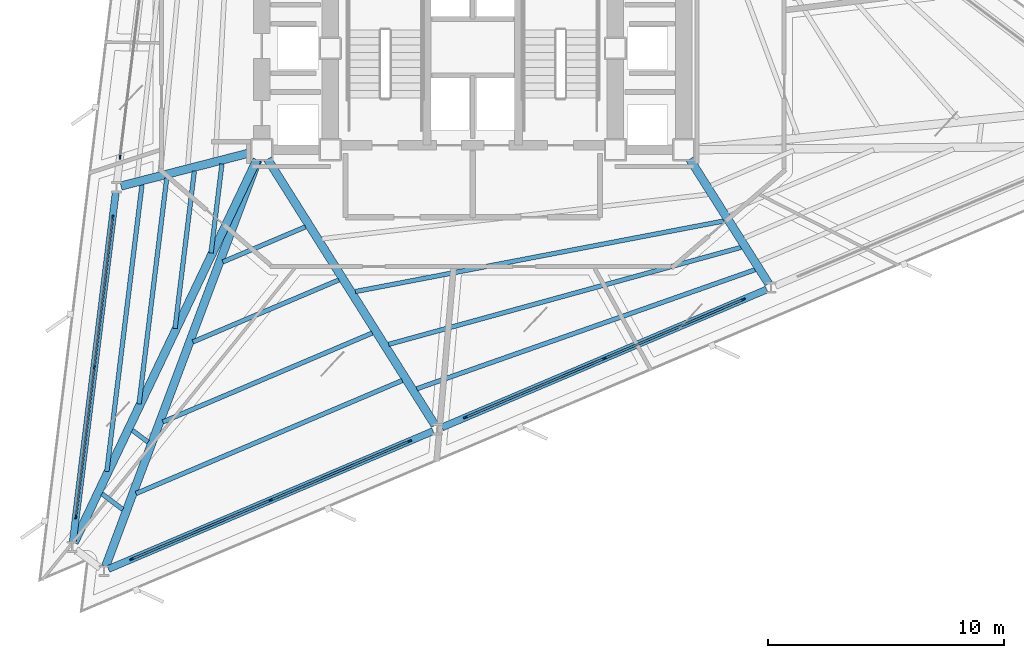
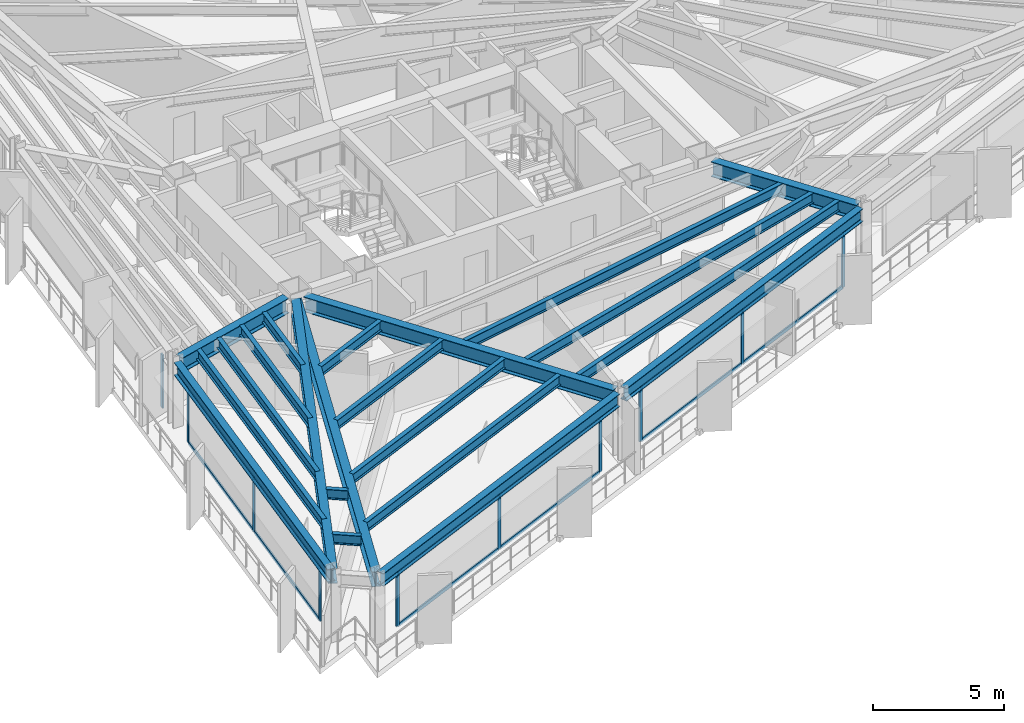
# One storey, part 2 of 13: 22 members, 21 beams, 4 elements without a shape of their own.
"""IFC4 building model written with IfcOpenShell, lengths in metres."""

from ifc_helpers import new_model, si_unit, direction, frame, origin, origin_2d, place, context, subcontext, project, spatial, rectangle, i_section, extrude, material, layer, layer_set, material_profile, profile_set, type_object, element, aggregate, save


model = new_model("IFC4")

# Units and contexts
model_context = context("Model", 3, precision=1e-05, world=origin(), true_north=direction((0.0, 1.0)))
body_context = subcontext(model_context, "Body", "Model", "MODEL_VIEW")
ifc_project = project(units=[si_unit("LENGTHUNIT", "METRE"), si_unit("AREAUNIT", "SQUARE_METRE"), si_unit("VOLUMEUNIT", "CUBIC_METRE"), si_unit("PLANEANGLEUNIT", "RADIAN"), si_unit("MASSUNIT", "GRAM", prefix="KILO")], contexts=[model_context])

# Site, building, storey
site_placement = place(None, origin())
site = spatial("IfcSite", under=ifc_project, at=site_placement, CompositionType="ELEMENT")
building_placement = place(site_placement, origin())
building = spatial("IfcBuilding", under=site, at=building_placement, Name="Rocaltana Carrier Exchange", CompositionType="ELEMENT")
storey_placement = place(building_placement, frame((0.0, 0.0, 59.679931640625)))
storey = spatial("IfcBuildingStorey", under=building, at=storey_placement, Name="L18", CompositionType="ELEMENT", Elevation=59.679931640625)

# Curtain wall, member
ifc_material_1 = material(Name="Aluminium 6063-T6", Category="aluminium")
ifc_layer = layer(ifc_material_1, 0.1650390625)
ifc_layer_set = layer_set([ifc_layer], Name="Aluminium 6063-T6")
curtain_wall_type = type_object("IfcCurtainWallType", Name="Lower-Mid Stepped Curtain Wall CW-02", PredefinedType="NOTDEFINED", material=ifc_layer_set)
curtain_wall_1_placement = place(storey_placement, origin())
curtain_wall_1 = element("IfcCurtainWall", 1, at=curtain_wall_1_placement, inside=storey, type_object=curtain_wall_type, Name="L18 CW-02 Run CW-L18-F2S2", PredefinedType="NOTDEFINED")
ifc_material_2 = material(Name="Aluminium 6063-T6", Category="aluminium")
ifc_material_profile_1 = material_profile(ifc_material_2, rectangle(XDim=0.06494140625, YDim=0.1650390625, at=origin_2d()), Name="AL-65X165")
ifc_profile_set_1 = profile_set([ifc_material_profile_1], Name="Aluminium 6063-T6")
member_type_1 = type_object("IfcMemberType", Name="CW-02 Mullion AL-65X165", PredefinedType="MULLION", material=ifc_profile_set_1)
member_1_placement = place(storey_placement, frame((-14.954345703125, -4.61279296875, 0.0), z_axis=(0.0, 0.0, 1.0), x_axis=(0.992545632614, -0.121873570472, 0.0)))
member_1 = element("IfcMember", 2, at=member_1_placement, type_object=member_type_1, Name="CW-02 mullion 3", PredefinedType="MULLION", context=body_context, shape_type="SweptSolid", body=[
    extrude(rectangle(XDim=0.06494140625, YDim=0.1650390625, at=origin_2d()), origin(), (0.0, 0.0, 1.0), 2.47802734375),
])
aggregate(curtain_wall_1, [member_1])

# Curtain wall, members
curtain_wall_2_placement = place(storey_placement, origin())
curtain_wall_2 = element("IfcCurtainWall", 3, at=curtain_wall_2_placement, inside=storey, type_object=curtain_wall_type, Name="L18 CW-02 Run CW-L18-F2S3", PredefinedType="NOTDEFINED")
member_2_placement = place(storey_placement, frame((-15.266845703125, -7.15869140625, 0.0), z_axis=(0.0, 0.0, 1.0), x_axis=(0.992544692438, -0.121881227076, 0.0)))
member_2 = element("IfcMember", 4, at=member_2_placement, type_object=member_type_1, Name="CW-02 mullion 1", PredefinedType="MULLION", context=body_context, shape_type="SweptSolid", body=[
    extrude(rectangle(XDim=0.06494140625, YDim=0.1650390625, at=origin_2d()), origin(), (0.0, 0.0, 1.0), 2.47802734375),
])
member_3_placement = place(storey_placement, frame((-16.047119140625, -13.51171875, 0.0), z_axis=(0.0, 0.0, 1.0), x_axis=(0.992544692438, -0.121881227076, 0.0)))
member_3 = element("IfcMember", 5, at=member_3_placement, type_object=member_type_1, Name="CW-02 mullion 2", PredefinedType="MULLION", context=body_context, shape_type="SweptSolid", body=[
    extrude(rectangle(XDim=0.06494140625, YDim=0.1650390625, at=origin_2d()), origin(), (0.0, 0.0, 1.0), 2.47802734375),
])
member_4_placement = place(storey_placement, frame((-16.8271484375, -19.86474609375, 0.0), z_axis=(0.0, 0.0, 1.0), x_axis=(0.992544692438, -0.121881227076, 0.0)))
member_4 = element("IfcMember", 6, at=member_4_placement, type_object=member_type_1, Name="CW-02 mullion 3", PredefinedType="MULLION", context=body_context, shape_type="SweptSolid", body=[
    extrude(rectangle(XDim=0.06494140625, YDim=0.1650390625, at=origin_2d()), origin(), (0.0, 0.0, 1.0), 2.47802734375),
])

curtain_wall_3_placement = place(storey_placement, origin())
curtain_wall_3 = element("IfcCurtainWall", 7, at=curtain_wall_3_placement, inside=storey, type_object=curtain_wall_type, Name="L18 CW-02 Run CW-L18-F3S1", PredefinedType="NOTDEFINED")
member_5_placement = place(storey_placement, frame((-14.457275390625, -21.650634765625, 0.0), z_axis=(0.0, 0.0, 1.0), x_axis=(-0.390728673724, 0.920505895435, 0.0)))
member_5 = element("IfcMember", 8, at=member_5_placement, type_object=member_type_1, Name="CW-02 mullion 1", PredefinedType="MULLION", context=body_context, shape_type="SweptSolid", body=[
    extrude(rectangle(XDim=0.06494140625, YDim=0.1650390625, at=origin_2d()), origin(), (0.0, 0.0, 1.0), 2.47802734375),
])
member_6_placement = place(storey_placement, frame((-8.565185546875, -19.149658203125, 0.0), z_axis=(0.0, 0.0, 1.0), x_axis=(-0.390728673724, 0.920505895435, 0.0)))
member_6 = element("IfcMember", 9, at=member_6_placement, type_object=member_type_1, Name="CW-02 mullion 2", PredefinedType="MULLION", context=body_context, shape_type="SweptSolid", body=[
    extrude(rectangle(XDim=0.06494140625, YDim=0.1650390625, at=origin_2d()), origin(), (0.0, 0.0, 1.0), 2.47802734375),
])
member_7_placement = place(storey_placement, frame((-2.673095703125, -16.648681640625, 0.0), z_axis=(0.0, 0.0, 1.0), x_axis=(-0.390728673724, 0.920505895435, 0.0)))
member_7 = element("IfcMember", 10, at=member_7_placement, type_object=member_type_1, Name="CW-02 mullion 3", PredefinedType="MULLION", context=body_context, shape_type="SweptSolid", body=[
    extrude(rectangle(XDim=0.06494140625, YDim=0.1650390625, at=origin_2d()), origin(), (0.0, 0.0, 1.0), 2.47802734375),
])

curtain_wall_4_placement = place(storey_placement, origin())
curtain_wall_4 = element("IfcCurtainWall", 11, at=curtain_wall_4_placement, inside=storey, type_object=curtain_wall_type, Name="L18 CW-02 Run CW-L18-F3S2", PredefinedType="NOTDEFINED")
member_8_placement = place(storey_placement, frame((-0.31201171875, -15.646484375, 0.0), z_axis=(0.0, 0.0, 1.0), x_axis=(-0.390728673724, 0.920505895435, 0.0)))
member_8 = element("IfcMember", 12, at=member_8_placement, type_object=member_type_1, Name="CW-02 mullion 1", PredefinedType="MULLION", context=body_context, shape_type="SweptSolid", body=[
    extrude(rectangle(XDim=0.06494140625, YDim=0.1650390625, at=origin_2d()), origin(), (0.0, 0.0, 1.0), 2.47802734375),
])
member_9_placement = place(storey_placement, frame((5.579833984375, -13.1455078125, 0.0), z_axis=(0.0, 0.0, 1.0), x_axis=(-0.390728673724, 0.920505895435, 0.0)))
member_9 = element("IfcMember", 13, at=member_9_placement, type_object=member_type_1, Name="CW-02 mullion 2", PredefinedType="MULLION", context=body_context, shape_type="SweptSolid", body=[
    extrude(rectangle(XDim=0.06494140625, YDim=0.1650390625, at=origin_2d()), origin(), (0.0, 0.0, 1.0), 2.47802734375),
])
member_10_placement = place(storey_placement, frame((11.471923828125, -10.64453125, 0.0), z_axis=(0.0, 0.0, 1.0), x_axis=(-0.390728673724, 0.920505895435, 0.0)))
member_10 = element("IfcMember", 14, at=member_10_placement, type_object=member_type_1, Name="CW-02 mullion 3", PredefinedType="MULLION", context=body_context, shape_type="SweptSolid", body=[
    extrude(rectangle(XDim=0.06494140625, YDim=0.1650390625, at=origin_2d()), origin(), (0.0, 0.0, 1.0), 2.47802734375),
])

# Member
ifc_material_3 = material(Name="Aluminium 6063-T6", Category="aluminium")
ifc_material_profile_2 = material_profile(ifc_material_3, rectangle(XDim=0.06494140625, YDim=0.1650390625, at=origin_2d()), Name="AL-65X165")
ifc_profile_set_2 = profile_set([ifc_material_profile_2], Name="Aluminium 6063-T6")
member_type_2 = type_object("IfcMemberType", Name="CW-02 Transom AL-65X165", PredefinedType="USERDEFINED", material=ifc_profile_set_2)
member_11_placement = place(storey_placement, frame((-15.270751953125, -7.19091796875, 0.032470703125), z_axis=(-0.121881311797, -0.992544682034, 0.0), x_axis=(0.992544682034, -0.121881311797, 0.0)))
member_11 = element("IfcMember", 15, at=member_11_placement, type_object=member_type_2, Name="CW-02 transom 1.1", ObjectType="TRANSOM", PredefinedType="USERDEFINED", context=body_context, shape_type="SweptSolid", body=[
    extrude(rectangle(XDim=0.06494140625, YDim=0.1650390625, at=origin_2d()), origin(), (0.0, 0.0, 1.0), 6.335693359375),
])

member_12_placement = place(storey_placement, frame((-15.270751953125, -7.19091796875, 2.445556640625), z_axis=(-0.121881311797, -0.992544682034, 0.0), x_axis=(0.992544682034, -0.121881311797, 0.0)))
member_12 = element("IfcMember", 16, at=member_12_placement, type_object=member_type_2, Name="CW-02 transom 1.2", ObjectType="TRANSOM", PredefinedType="USERDEFINED", context=body_context, shape_type="SweptSolid", body=[
    extrude(rectangle(XDim=0.06494140625, YDim=0.1650390625, at=origin_2d()), origin(), (0.0, 0.0, 1.0), 6.335693359375),
])

member_13_placement = place(storey_placement, frame((-16.051025390625, -13.5439453125, 0.032470703125), z_axis=(-0.121881311797, -0.992544682034, 0.0), x_axis=(0.992544682034, -0.121881311797, 0.0)))
member_13 = element("IfcMember", 17, at=member_13_placement, type_object=member_type_2, Name="CW-02 transom 2.1", ObjectType="TRANSOM", PredefinedType="USERDEFINED", context=body_context, shape_type="SweptSolid", body=[
    extrude(rectangle(XDim=0.06494140625, YDim=0.1650390625, at=origin_2d()), origin(), (0.0, 0.0, 1.0), 6.335693359375),
])

member_14_placement = place(storey_placement, frame((-16.051025390625, -13.5439453125, 2.445556640625), z_axis=(-0.121881311797, -0.992544682034, 0.0), x_axis=(0.992544682034, -0.121881311797, 0.0)))
member_14 = element("IfcMember", 18, at=member_14_placement, type_object=member_type_2, Name="CW-02 transom 2.2", ObjectType="TRANSOM", PredefinedType="USERDEFINED", context=body_context, shape_type="SweptSolid", body=[
    extrude(rectangle(XDim=0.06494140625, YDim=0.1650390625, at=origin_2d()), origin(), (0.0, 0.0, 1.0), 6.335693359375),
])

aggregate(curtain_wall_2, [member_2, member_3, member_4, member_11, member_12, member_13, member_14])

member_15_placement = place(storey_placement, frame((-14.42724609375, -21.637939453125, 0.032470703125), z_axis=(0.920508718486, 0.390722022916, 0.0), x_axis=(-0.390722022916, 0.920508718486, 0.0)))
member_15 = element("IfcMember", 19, at=member_15_placement, type_object=member_type_2, Name="CW-02 transom 1.1", ObjectType="TRANSOM", PredefinedType="USERDEFINED", context=body_context, shape_type="SweptSolid", body=[
    extrude(rectangle(XDim=0.06494140625, YDim=0.1650390625, at=origin_2d()), origin(), (0.0, 0.0, 1.0), 6.3359375),
])

member_16_placement = place(storey_placement, frame((-14.42724609375, -21.637939453125, 2.445556640625), z_axis=(0.920508718486, 0.390722022916, 0.0), x_axis=(-0.390722022916, 0.920508718486, 0.0)))
member_16 = element("IfcMember", 20, at=member_16_placement, type_object=member_type_2, Name="CW-02 transom 1.2", ObjectType="TRANSOM", PredefinedType="USERDEFINED", context=body_context, shape_type="SweptSolid", body=[
    extrude(rectangle(XDim=0.06494140625, YDim=0.1650390625, at=origin_2d()), origin(), (0.0, 0.0, 1.0), 6.3359375),
])

member_17_placement = place(storey_placement, frame((-8.53515625, -19.136962890625, 0.032470703125), z_axis=(0.920502835622, 0.390735882167, 0.0), x_axis=(-0.390735882167, 0.920502835622, 0.0)))
member_17 = element("IfcMember", 21, at=member_17_placement, type_object=member_type_2, Name="CW-02 transom 2.1", ObjectType="TRANSOM", PredefinedType="USERDEFINED", context=body_context, shape_type="SweptSolid", body=[
    extrude(rectangle(XDim=0.06494140625, YDim=0.1650390625, at=origin_2d()), origin(), (0.0, 0.0, 1.0), 6.335693359375),
])

member_18_placement = place(storey_placement, frame((-8.53515625, -19.136962890625, 2.445556640625), z_axis=(0.920502835622, 0.390735882167, 0.0), x_axis=(-0.390735882167, 0.920502835622, 0.0)))
member_18 = element("IfcMember", 22, at=member_18_placement, type_object=member_type_2, Name="CW-02 transom 2.2", ObjectType="TRANSOM", PredefinedType="USERDEFINED", context=body_context, shape_type="SweptSolid", body=[
    extrude(rectangle(XDim=0.06494140625, YDim=0.1650390625, at=origin_2d()), origin(), (0.0, 0.0, 1.0), 6.335693359375),
])

aggregate(curtain_wall_3, [member_5, member_6, member_7, member_15, member_16, member_17, member_18])

member_19_placement = place(storey_placement, frame((-0.2822265625, -15.6337890625, 0.032470703125), z_axis=(0.920508718486, 0.390722022916, 0.0), x_axis=(-0.390722022916, 0.920508718486, 0.0)))
member_19 = element("IfcMember", 23, at=member_19_placement, type_object=member_type_2, Name="CW-02 transom 1.1", ObjectType="TRANSOM", PredefinedType="USERDEFINED", context=body_context, shape_type="SweptSolid", body=[
    extrude(rectangle(XDim=0.06494140625, YDim=0.1650390625, at=origin_2d()), origin(), (0.0, 0.0, 1.0), 6.3359375),
])

member_20_placement = place(storey_placement, frame((-0.2822265625, -15.6337890625, 2.445556640625), z_axis=(0.920508718486, 0.390722022916, 0.0), x_axis=(-0.390722022916, 0.920508718486, 0.0)))
member_20 = element("IfcMember", 24, at=member_20_placement, type_object=member_type_2, Name="CW-02 transom 1.2", ObjectType="TRANSOM", PredefinedType="USERDEFINED", context=body_context, shape_type="SweptSolid", body=[
    extrude(rectangle(XDim=0.06494140625, YDim=0.1650390625, at=origin_2d()), origin(), (0.0, 0.0, 1.0), 6.3359375),
])

member_21_placement = place(storey_placement, frame((5.60986328125, -13.1328125, 0.032470703125), z_axis=(0.920508718486, 0.390722022916, 0.0), x_axis=(-0.390722022916, 0.920508718486, 0.0)))
member_21 = element("IfcMember", 25, at=member_21_placement, type_object=member_type_2, Name="CW-02 transom 2.1", ObjectType="TRANSOM", PredefinedType="USERDEFINED", context=body_context, shape_type="SweptSolid", body=[
    extrude(rectangle(XDim=0.06494140625, YDim=0.1650390625, at=origin_2d()), origin(), (0.0, 0.0, 1.0), 6.3359375),
])

member_22_placement = place(storey_placement, frame((5.60986328125, -13.1328125, 2.445556640625), z_axis=(0.920508718486, 0.390722022916, 0.0), x_axis=(-0.390722022916, 0.920508718486, 0.0)))
member_22 = element("IfcMember", 26, at=member_22_placement, type_object=member_type_2, Name="CW-02 transom 2.2", ObjectType="TRANSOM", PredefinedType="USERDEFINED", context=body_context, shape_type="SweptSolid", body=[
    extrude(rectangle(XDim=0.06494140625, YDim=0.1650390625, at=origin_2d()), origin(), (0.0, 0.0, 1.0), 6.3359375),
])

aggregate(curtain_wall_4, [member_8, member_9, member_10, member_19, member_20, member_21, member_22])

# Beams
ifc_material_4 = material(Name="Steel S355", Category="steel")
ifc_material_profile_3 = material_profile(ifc_material_4, i_section(OverallWidth=0.193115234375, OverallDepth=0.466064453125, WebThickness=0.011474609375, FlangeThickness=0.01904296875, FilletRadius=0.013916015625, at=origin_2d()), Name="W18X65")
ifc_profile_set_3 = profile_set([ifc_material_profile_3], Name="Steel S355")
beam_type_1 = type_object("IfcBeamType", Name="Floor Joist W18X65", PredefinedType="JOIST", material=ifc_profile_set_3)
beam_1_placement = place(storey_placement, frame((-10.63427734375, -4.8984375, 2.864990234375), z_axis=(-0.121879106214, -0.99254495287, 0.0), x_axis=(0.99254495287, -0.121879106214, 0.0)))
element("IfcBeam", 27, at=beam_1_placement, inside=storey, type_object=beam_type_1, Name="FJ-L18-07-1", PredefinedType="JOIST", context=body_context, shape_type="SweptSolid", body=[
    extrude(i_section(OverallWidth=0.193115234375, OverallDepth=0.466064453125, WebThickness=0.011474609375, FlangeThickness=0.01904296875, FilletRadius=0.013916015625, at=origin_2d()), origin(), (0.0, 0.0, 1.0), 3.805908203125),
])
beam_2_placement = place(storey_placement, frame((-11.8046875, -5.19970703125, 2.864990234375), z_axis=(-0.121894438401, -0.992543070041, 0.0), x_axis=(0.992543070041, -0.121894438401, 0.0)))
element("IfcBeam", 28, at=beam_2_placement, inside=storey, type_object=beam_type_1, Name="FJ-L18-07-2", PredefinedType="JOIST", context=body_context, shape_type="SweptSolid", body=[
    extrude(i_section(OverallWidth=0.193115234375, OverallDepth=0.466064453125, WebThickness=0.011474609375, FlangeThickness=0.01904296875, FilletRadius=0.013916015625, at=origin_2d()), origin(), (0.0, 0.0, 1.0), 6.7255859375),
])
beam_3_placement = place(storey_placement, frame((-12.975341796875, -5.5009765625, 2.864990234375), z_axis=(-0.121878614676, -0.992545013228, 0.0), x_axis=(0.992545013228, -0.121878614676, 0.0)))
element("IfcBeam", 29, at=beam_3_placement, inside=storey, type_object=beam_type_1, Name="FJ-L18-07-3", PredefinedType="JOIST", context=body_context, shape_type="SweptSolid", body=[
    extrude(i_section(OverallWidth=0.193115234375, OverallDepth=0.466064453125, WebThickness=0.011474609375, FlangeThickness=0.01904296875, FilletRadius=0.013916015625, at=origin_2d()), origin(), (0.0, 0.0, 1.0), 9.645263671875),
])
beam_4_placement = place(storey_placement, frame((-14.022705078125, -5.7705078125, 2.864990234375), z_axis=(-0.121874778131, -0.992545484326, 0.0), x_axis=(0.992545484326, -0.121874778131, 0.0)))
element("IfcBeam", 30, at=beam_4_placement, inside=storey, type_object=beam_type_1, Name="FJ-L18-07-4", PredefinedType="JOIST", context=body_context, shape_type="SweptSolid", body=[
    extrude(i_section(OverallWidth=0.193115234375, OverallDepth=0.466064453125, WebThickness=0.011474609375, FlangeThickness=0.01904296875, FilletRadius=0.013916015625, at=origin_2d()), origin(), (0.0, 0.0, 1.0), 12.257568359375),
])
beam_5_placement = place(storey_placement, frame((-14.436279296875, -16.189697265625, 2.864990234375), z_axis=(0.798596771992, -0.601866426845, 0.0), x_axis=(0.601866426845, 0.798596771992, 0.0)))
element("IfcBeam", 31, at=beam_5_placement, inside=storey, type_object=beam_type_1, Name="FJ-L18-08-3", PredefinedType="JOIST", context=body_context, shape_type="SweptSolid", body=[
    extrude(i_section(OverallWidth=0.193115234375, OverallDepth=0.466064453125, WebThickness=0.011474609375, FlangeThickness=0.01904296875, FilletRadius=0.013916015625, at=origin_2d()), origin(), (0.0, 0.0, 1.0), 0.83642578125),
])
beam_6_placement = place(storey_placement, frame((-15.7216796875, -18.8837890625, 2.864990234375), z_axis=(0.798673550691, -0.601764538193, 0.0), x_axis=(0.601764538193, 0.798673550691, 0.0)))
element("IfcBeam", 32, at=beam_6_placement, inside=storey, type_object=beam_type_1, Name="FJ-L18-08-4", PredefinedType="JOIST", context=body_context, shape_type="SweptSolid", body=[
    extrude(i_section(OverallWidth=0.193115234375, OverallDepth=0.466064453125, WebThickness=0.011474609375, FlangeThickness=0.01904296875, FilletRadius=0.013916015625, at=origin_2d()), origin(), (0.0, 0.0, 1.0), 1.10595703125),
])
beam_7_placement = place(storey_placement, frame((-10.597900390625, -9.052978515625, 2.864990234375), z_axis=(0.920509781797, 0.390719517834, 0.0), x_axis=(-0.390719517834, 0.920509781797, 0.0)))
element("IfcBeam", 33, at=beam_7_placement, inside=storey, type_object=beam_type_1, Name="FJ-L18-09-1", PredefinedType="JOIST", context=body_context, shape_type="SweptSolid", body=[
    extrude(i_section(OverallWidth=0.193115234375, OverallDepth=0.466064453125, WebThickness=0.011474609375, FlangeThickness=0.01904296875, FilletRadius=0.013916015625, at=origin_2d()), origin(), (0.0, 0.0, 1.0), 3.805908203125),
])
beam_8_placement = place(storey_placement, frame((-11.868408203125, -12.44482421875, 2.864990234375), z_axis=(0.920502665094, 0.390736283898, 0.0), x_axis=(-0.390736283898, 0.920502665094, 0.0)))
element("IfcBeam", 34, at=beam_8_placement, inside=storey, type_object=beam_type_1, Name="FJ-L18-09-2", PredefinedType="JOIST", context=body_context, shape_type="SweptSolid", body=[
    extrude(i_section(OverallWidth=0.193115234375, OverallDepth=0.466064453125, WebThickness=0.011474609375, FlangeThickness=0.01904296875, FilletRadius=0.013916015625, at=origin_2d()), origin(), (0.0, 0.0, 1.0), 6.7255859375),
])
beam_9_placement = place(storey_placement, frame((-13.13916015625, -15.836669921875, 2.864990234375), z_axis=(0.920512824991, 0.390712348188, 0.0), x_axis=(-0.390712348188, 0.920512824991, 0.0)))
element("IfcBeam", 35, at=beam_9_placement, inside=storey, type_object=beam_type_1, Name="FJ-L18-09-3", PredefinedType="JOIST", context=body_context, shape_type="SweptSolid", body=[
    extrude(i_section(OverallWidth=0.193115234375, OverallDepth=0.466064453125, WebThickness=0.011474609375, FlangeThickness=0.01904296875, FilletRadius=0.013916015625, at=origin_2d()), origin(), (0.0, 0.0, 1.0), 9.645263671875),
])
beam_10_placement = place(storey_placement, frame((-14.27587890625, -18.87158203125, 2.864990234375), z_axis=(0.92049843191, 0.39074625635, 0.0), x_axis=(-0.39074625635, 0.92049843191, 0.0)))
element("IfcBeam", 36, at=beam_10_placement, inside=storey, type_object=beam_type_1, Name="FJ-L18-09-4", PredefinedType="JOIST", context=body_context, shape_type="SweptSolid", body=[
    extrude(i_section(OverallWidth=0.193115234375, OverallDepth=0.466064453125, WebThickness=0.011474609375, FlangeThickness=0.01904296875, FilletRadius=0.013916015625, at=origin_2d()), origin(), (0.0, 0.0, 1.0), 12.25732421875),
])
beam_11_placement = place(storey_placement, frame((-4.978271484375, -10.31005859375, 2.864990234375), z_axis=(0.982142482744, 0.188138628647, 0.0), x_axis=(-0.188138628647, 0.982142482744, 0.0)))
element("IfcBeam", 37, at=beam_11_placement, inside=storey, type_object=beam_type_1, Name="FJ-L18-10-2", PredefinedType="JOIST", context=body_context, shape_type="SweptSolid", body=[
    extrude(i_section(OverallWidth=0.193115234375, OverallDepth=0.466064453125, WebThickness=0.011474609375, FlangeThickness=0.01904296875, FilletRadius=0.013916015625, at=origin_2d()), origin(), (0.0, 0.0, 1.0), 15.9326171875),
])
beam_12_placement = place(storey_placement, frame((-3.564453125, -12.5478515625, 2.864990234375), z_axis=(0.964150794225, 0.265354943415, 0.0), x_axis=(-0.265354943415, 0.964150794225, 0.0)))
element("IfcBeam", 38, at=beam_12_placement, inside=storey, type_object=beam_type_1, Name="FJ-L18-10-3", PredefinedType="JOIST", context=body_context, shape_type="SweptSolid", body=[
    extrude(i_section(OverallWidth=0.193115234375, OverallDepth=0.466064453125, WebThickness=0.011474609375, FlangeThickness=0.01904296875, FilletRadius=0.013916015625, at=origin_2d()), origin(), (0.0, 0.0, 1.0), 15.496337890625),
])
beam_13_placement = place(storey_placement, frame((-2.375, -14.431884765625, 2.864990234375), z_axis=(0.943283630241, 0.331987940924, 0.0), x_axis=(-0.331987940924, 0.943283630241, 0.0)))
element("IfcBeam", 39, at=beam_13_placement, inside=storey, type_object=beam_type_1, Name="FJ-L18-10-4", PredefinedType="JOIST", context=body_context, shape_type="SweptSolid", body=[
    extrude(i_section(OverallWidth=0.193115234375, OverallDepth=0.466064453125, WebThickness=0.011474609375, FlangeThickness=0.01904296875, FilletRadius=0.013916015625, at=origin_2d()), origin(), (0.0, 0.0, 1.0), 15.2099609375),
])
ifc_material_5 = material(Name="Steel S355", Category="steel")
ifc_material_profile_4 = material_profile(ifc_material_5, i_section(OverallWidth=0.35498046875, OverallDepth=0.695068359375, WebThickness=0.015380859375, FlangeThickness=0.02490234375, FilletRadius=0.01806640625, at=origin_2d()), Name="W27X146")
ifc_profile_set_4 = profile_set([ifc_material_profile_4], Name="Steel S355")
beam_type_2 = type_object("IfcBeamType", Name="Radial Girder W27X146", PredefinedType="BEAM", material=ifc_profile_set_4)
beam_14_placement = place(storey_placement, frame((-9.40234375, -4.41650390625, 2.75048828125), z_axis=(-0.968443537088, -0.249233054534, 0.0), x_axis=(0.249233054534, -0.968443537088, 0.0)))
element("IfcBeam", 40, at=beam_14_placement, inside=storey, type_object=beam_type_2, Name="RG-L18-07", PredefinedType="BEAM", context=body_context, shape_type="SweptSolid", body=[
    extrude(i_section(OverallWidth=0.35498046875, OverallDepth=0.695068359375, WebThickness=0.015380859375, FlangeThickness=0.02490234375, FilletRadius=0.01806640625, at=origin_2d()), origin(), (0.0, 0.0, 1.0), 5.6904296875),
])
beam_15_placement = place(storey_placement, frame((-9.151123046875, -4.721435546875, 2.75048828125), z_axis=(-0.430603189331, -0.902541352702, 0.0), x_axis=(0.902541352702, -0.430603189331, 0.0)))
element("IfcBeam", 41, at=beam_15_placement, inside=storey, type_object=beam_type_2, Name="RG-L18-08", PredefinedType="BEAM", context=body_context, shape_type="SweptSolid", body=[
    extrude(i_section(OverallWidth=0.35498046875, OverallDepth=0.695068359375, WebThickness=0.015380859375, FlangeThickness=0.02490234375, FilletRadius=0.01806640625, at=origin_2d()), origin(), (0.0, 0.0, 1.0), 17.98486328125),
])
beam_16_placement = place(storey_placement, frame((-9.11376953125, -4.7373046875, 2.75048828125), z_axis=(-0.350819393194, -0.936443139416, 0.0), x_axis=(0.936443139416, -0.350819393194, 0.0)))
element("IfcBeam", 42, at=beam_16_placement, inside=storey, type_object=beam_type_2, Name="RG-L18-09", PredefinedType="BEAM", context=body_context, shape_type="SweptSolid", body=[
    extrude(i_section(OverallWidth=0.35498046875, OverallDepth=0.695068359375, WebThickness=0.015380859375, FlangeThickness=0.02490234375, FilletRadius=0.01806640625, at=origin_2d()), origin(), (0.0, 0.0, 1.0), 18.392333984375),
])
beam_17_placement = place(storey_placement, frame((-8.701171875, -4.6953125, 2.75048828125), z_axis=(0.53269326445, -0.846308387061, 0.0), x_axis=(0.846308387061, 0.53269326445, 0.0)))
element("IfcBeam", 43, at=beam_17_placement, inside=storey, type_object=beam_type_2, Name="RG-L18-10", PredefinedType="BEAM", context=body_context, shape_type="SweptSolid", body=[
    extrude(i_section(OverallWidth=0.35498046875, OverallDepth=0.695068359375, WebThickness=0.015380859375, FlangeThickness=0.02490234375, FilletRadius=0.01806640625, at=origin_2d()), origin(), (0.0, 0.0, 1.0), 13.328125),
])
beam_18_placement = place(storey_placement, frame((9.199951171875, -4.694580078125, 2.75048828125), z_axis=(0.535212931664, -0.844717182127, 0.0), x_axis=(0.844717182127, 0.535212931664, 0.0)))
element("IfcBeam", 44, at=beam_18_placement, inside=storey, type_object=beam_type_2, Name="RG-L18-11", PredefinedType="BEAM", context=body_context, shape_type="SweptSolid", body=[
    extrude(i_section(OverallWidth=0.35498046875, OverallDepth=0.695068359375, WebThickness=0.015380859375, FlangeThickness=0.02490234375, FilletRadius=0.01806640625, at=origin_2d()), origin(), (0.0, 0.0, 1.0), 6.24658203125),
])
ifc_material_6 = material(Name="Steel S355", Category="steel")
ifc_material_profile_5 = material_profile(ifc_material_6, i_section(OverallWidth=0.300048828125, OverallDepth=0.60009765625, WebThickness=0.015380859375, FlangeThickness=0.030029296875, FilletRadius=0.027099609375, at=origin_2d()), Name="HEB600")
ifc_profile_set_5 = profile_set([ifc_material_profile_5], Name="Steel S355")
beam_type_3 = type_object("IfcBeamType", Name="Spandrel Edge Beam HEB600", PredefinedType="SPANDREL", material=ifc_profile_set_5)
for number, where, z_axis, x_axis, name in (
    (45, (-15.135498046875, -6.088134765625, 2.798095703125), (-0.121869017222, -0.992546191691, 0.0), (0.992546191691, -0.121869017222, 0.0), "SP-L18-07"),
    (46, (-15.449951171875, -22.072021484375, 2.798095703125), (0.920507081962, 0.390725878407, 0.0), (-0.390725878407, 0.920507081962, 0.0), "SP-L18-09"),
):
    element("IfcBeam", number, at=place(storey_placement, frame(where, z_axis=z_axis, x_axis=x_axis)), inside=storey, type_object=beam_type_3, Name=name, PredefinedType="SPANDREL", context=body_context, shape_type="SweptSolid", body=[
        extrude(i_section(OverallWidth=0.300048828125, OverallDepth=0.60009765625, WebThickness=0.015380859375, FlangeThickness=0.030029296875, FilletRadius=0.027099609375, at=origin_2d()), origin(), (0.0, 0.0, 1.0), 14.958740234375),
    ])
beam_19_placement = place(storey_placement, frame((-1.3046875, -16.06787109375, 2.798095703125), z_axis=(0.920504590225, 0.390731748613, 0.0), x_axis=(-0.390731748613, 0.920504590225, 0.0)))
element("IfcBeam", 47, at=beam_19_placement, inside=storey, type_object=beam_type_3, Name="SP-L18-10", PredefinedType="SPANDREL", context=body_context, shape_type="SweptSolid", body=[
    extrude(i_section(OverallWidth=0.300048828125, OverallDepth=0.60009765625, WebThickness=0.015380859375, FlangeThickness=0.030029296875, FilletRadius=0.027099609375, at=origin_2d()), origin(), (0.0, 0.0, 1.0), 14.95849609375),
])

save(model, "model.ifc")
